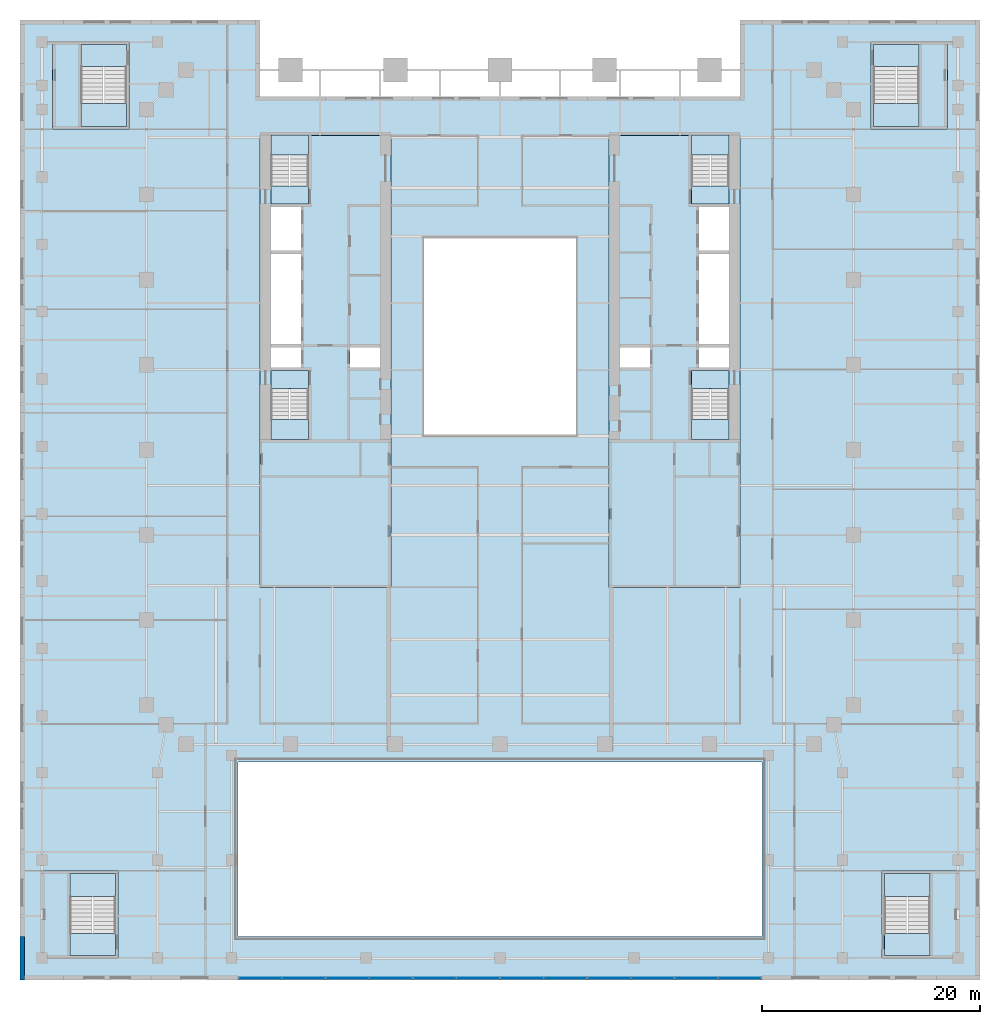
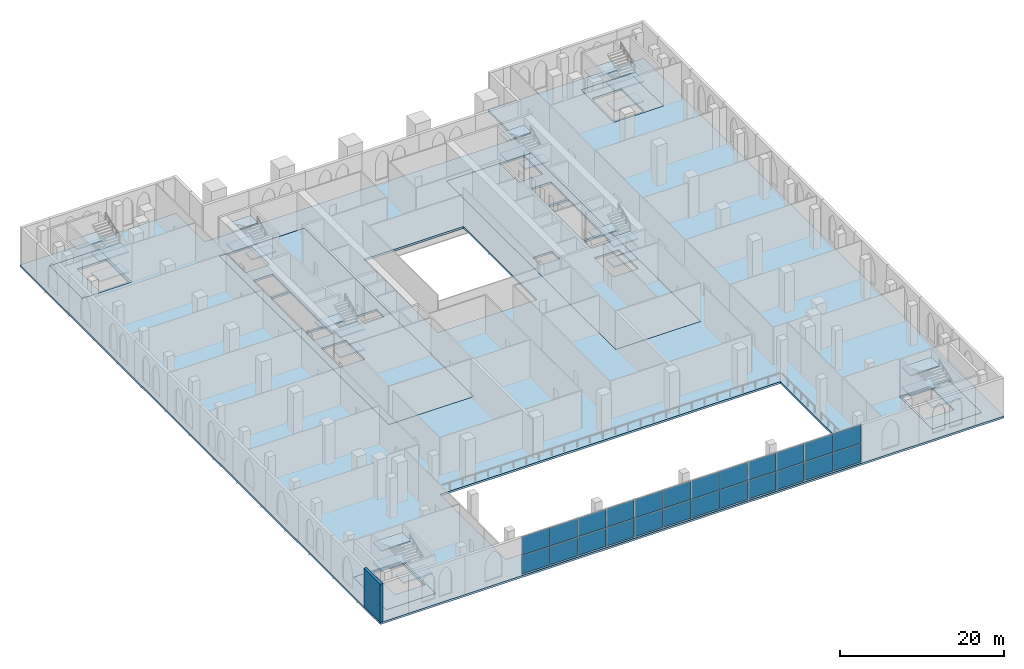
# One storey, part 7 of 21: 31 slabs, 24 plates, 1 wall, 14 elements without a shape of their own.
"""IFC4 building model written with IfcOpenShell, lengths in metres."""

from ifc_helpers import new_model, si_unit, direction, frame, frame_2d, origin, origin_2d, place, context, subcontext, project, spatial, polyline, rectangle, outline, extrude, material, layer, layer_set, type_object, element, aggregate, save


model = new_model("IFC4")

# Units and contexts
model_context = context("Model", 3, precision=1e-05, world=origin(), true_north=direction((0.0, 1.0)))
body_context = subcontext(model_context, "Body", "Model", "MODEL_VIEW")
ifc_project = project(units=[si_unit("LENGTHUNIT", "METRE"), si_unit("AREAUNIT", "SQUARE_METRE"), si_unit("VOLUMEUNIT", "CUBIC_METRE"), si_unit("PLANEANGLEUNIT", "RADIAN"), si_unit("MASSUNIT", "GRAM", prefix="KILO")], contexts=[model_context])

# Site, building, storey
site_placement = place(None, origin())
site = spatial("IfcSite", under=ifc_project, at=site_placement, CompositionType="ELEMENT")
building_placement = place(site_placement, origin())
building = spatial("IfcBuilding", under=site, at=building_placement, Name="Ogive Exchange Tower", CompositionType="ELEMENT")
storey_placement = place(building_placement, frame((0.0, 0.0, 8.0)))
storey = spatial("IfcBuildingStorey", under=building, at=storey_placement, Name="L01", CompositionType="ELEMENT", Elevation=8.0)

# Slabs
ifc_material_1 = material(Name="Concrete C50/60", Category="concrete")
ifc_layer_1 = layer(ifc_material_1, 0.300048828125)
ifc_layer_set_1 = layer_set([ifc_layer_1], Name="Composite floor slab 300")
slab_type_1 = type_object("IfcSlabType", Name="Composite floor slab 300", PredefinedType="FLOOR", material=ifc_layer_set_1)
slab_1_placement = place(storey_placement, frame((0.0, 0.0, -0.300048828125)))
element("IfcSlab", 1, at=slab_1_placement, inside=storey, type_object=slab_type_1, Name="Composite floor slab", PredefinedType="FLOOR", context=body_context, shape_type="SweptSolid", body=[
    extrude(outline(polyline([(44.0, -52.0), (-44.0, -52.0), (-44.0, 36.0), (-22.0, 36.0), (-22.0, 29.0), (22.0, 29.0), (22.0, 36.0), (44.0, 36.0), (44.0, -52.0)]), holes=[polyline([(-42.0, -42.0), (-42.0, -50.0), (-35.0, -50.0), (-35.0, -42.0), (-42.0, -42.0)]), polyline([(35.0, -42.0), (35.0, -50.0), (42.0, -50.0), (42.0, -42.0), (35.0, -42.0)]), polyline([(-24.0, -32.0), (-24.0, -48.0), (24.0, -48.0), (24.0, -32.0), (-24.0, -32.0)]), polyline([(-22.0, 25.39990234375), (-22.0, -16.0), (-10.0, -16.0), (-10.0, 25.39990234375), (-22.0, 25.39990234375)]), polyline([(10.0, 25.39990234375), (10.0, -16.0), (22.0, -16.0), (22.0, 25.39990234375), (10.0, 25.39990234375)]), polyline([(-7.0, 16.0), (-7.0, -2.0), (7.0, -2.0), (7.0, 16.0), (-7.0, 16.0)]), polyline([(-41.0, 34.0), (-41.0, 26.0), (-34.0, 26.0), (-34.0, 34.0), (-41.0, 34.0)]), polyline([(34.0, 34.0), (34.0, 26.0), (41.0, 26.0), (41.0, 34.0), (34.0, 34.0)])]), origin(), (0.0, 0.0, 1.0), 0.300048828125),
])
ifc_material_2 = material(Name="Concrete C70/85", Category="concrete")
ifc_layer_2 = layer(ifc_material_2, 0.300048828125)
ifc_layer_set_2 = layer_set([ifc_layer_2], Name="Core floor slab 300")
slab_type_2 = type_object("IfcSlabType", Name="Core floor slab 300", PredefinedType="FLOOR", material=ifc_layer_set_2)
slab_2_placement = place(storey_placement, frame((0.0, 0.0, -0.300048828125)))
element("IfcSlab", 2, at=slab_2_placement, inside=storey, type_object=slab_type_2, Name="Core floor slab", PredefinedType="FLOOR", context=body_context, shape_type="SweptSolid", body=[
    extrude(outline(polyline([(-10.0, 25.39990234375), (-10.0, -16.0), (-22.0, -16.0), (-22.0, 25.39990234375), (-21.0, 25.39990234375), (-21.0, 20.803955078125), (-17.550048828125, 20.803955078125), (-17.550048828125, 25.39990234375), (-10.0, 25.39990234375)]), holes=[polyline([(-17.550048828125, 2.196044921875), (-21.0, 2.196044921875), (-21.0, -2.449951171875), (-17.550048828125, -2.449951171875), (-17.550048828125, 2.196044921875)]), polyline([(-18.25, 5.992919921875), (-21.0, 5.992919921875), (-21.0, 4.14990234375), (-18.25, 4.14990234375), (-18.25, 5.992919921875)]), polyline([(-11.0, 5.992919921875), (-13.75, 5.992919921875), (-13.75, 4.14990234375), (-11.0, 4.14990234375), (-11.0, 5.992919921875)]), polyline([(-21.0, 14.564208984375), (-21.0, 6.29296875), (-18.25, 6.29296875), (-18.25, 14.564208984375), (-21.0, 14.564208984375)]), polyline([(-18.25, 18.85009765625), (-21.0, 18.85009765625), (-21.0, 14.8642578125), (-18.25, 14.8642578125), (-18.25, 18.85009765625)])]), origin(), (0.0, 0.0, 1.0), 0.300048828125),
])
slab_3_placement = place(storey_placement, frame((0.0, 0.0, -0.300048828125)))
element("IfcSlab", 3, at=slab_3_placement, inside=storey, type_object=slab_type_2, Name="Core floor slab", PredefinedType="FLOOR", context=body_context, shape_type="SweptSolid", body=[
    extrude(outline(polyline([(22.0, 25.39990234375), (22.0, -16.0), (10.0, -16.0), (10.0, 25.39990234375), (17.550048828125, 25.39990234375), (17.550048828125, 20.803955078125), (21.0, 20.803955078125), (21.0, 25.39990234375), (22.0, 25.39990234375)]), holes=[polyline([(21.0, 2.196044921875), (17.550048828125, 2.196044921875), (17.550048828125, -2.449951171875), (21.0, -2.449951171875), (21.0, 2.196044921875)]), polyline([(13.75, 5.992919921875), (11.0, 5.992919921875), (11.0, 4.14990234375), (13.75, 4.14990234375), (13.75, 5.992919921875)]), polyline([(21.0, 5.992919921875), (18.25, 5.992919921875), (18.25, 4.14990234375), (21.0, 4.14990234375), (21.0, 5.992919921875)]), polyline([(18.25, 14.564208984375), (18.25, 6.29296875), (21.0, 6.29296875), (21.0, 14.564208984375), (18.25, 14.564208984375)]), polyline([(21.0, 18.85009765625), (18.25, 18.85009765625), (18.25, 14.8642578125), (21.0, 14.8642578125), (21.0, 18.85009765625)])]), origin(), (0.0, 0.0, 1.0), 0.300048828125),
])
slab_4_placement = place(storey_placement, frame((0.0, 0.0, -0.300048828125)))
element("IfcSlab", 4, at=slab_4_placement, inside=storey, type_object=slab_type_2, Name="Core floor slab", PredefinedType="FLOOR", context=body_context, shape_type="SweptSolid", body=[
    extrude(outline(polyline([(-42.0, -50.0), (-42.0, -42.0), (-35.0, -42.0), (-35.0, -50.0), (-42.0, -50.0)]), holes=[polyline([(-35.25, -42.25), (-39.39990234375, -42.25), (-39.39990234375, -47.74609375), (-35.25, -47.74609375), (-35.25, -42.25)])]), origin(), (0.0, 0.0, 1.0), 0.300048828125),
])
slab_5_placement = place(storey_placement, frame((0.0, 0.0, -0.300048828125)))
element("IfcSlab", 5, at=slab_5_placement, inside=storey, type_object=slab_type_2, Name="Core floor slab", PredefinedType="FLOOR", context=body_context, shape_type="SweptSolid", body=[
    extrude(outline(polyline([(35.0, -50.0), (35.0, -42.0), (42.0, -42.0), (42.0, -50.0), (35.0, -50.0)]), holes=[polyline([(39.39990234375, -42.25), (35.25, -42.25), (35.25, -47.74609375), (39.39990234375, -47.74609375), (39.39990234375, -42.25)])]), origin(), (0.0, 0.0, 1.0), 0.300048828125),
])
slab_6_placement = place(storey_placement, frame((0.0, 0.0, -0.300048828125)))
element("IfcSlab", 6, at=slab_6_placement, inside=storey, type_object=slab_type_2, Name="Core floor slab", PredefinedType="FLOOR", context=body_context, shape_type="SweptSolid", body=[
    extrude(outline(polyline([(-41.0, 26.0), (-41.0, 34.0), (-34.0, 34.0), (-34.0, 26.0), (-41.0, 26.0)]), holes=[polyline([(-38.39990234375, 26.25), (-34.25, 26.25), (-34.25, 31.74609375), (-38.39990234375, 31.74609375), (-38.39990234375, 26.25)])]), origin(), (0.0, 0.0, 1.0), 0.300048828125),
])
slab_7_placement = place(storey_placement, frame((0.0, 0.0, -0.300048828125)))
element("IfcSlab", 7, at=slab_7_placement, inside=storey, type_object=slab_type_2, Name="Core floor slab", PredefinedType="FLOOR", context=body_context, shape_type="SweptSolid", body=[
    extrude(outline(polyline([(34.0, 26.0), (34.0, 34.0), (41.0, 34.0), (41.0, 26.0), (34.0, 26.0)]), holes=[polyline([(34.25, 26.25), (38.39990234375, 26.25), (38.39990234375, 31.74609375), (34.25, 31.74609375), (34.25, 26.25)])]), origin(), (0.0, 0.0, 1.0), 0.300048828125),
])

# Curtain wall, plates
ifc_material_3 = material(Name="Anodised aluminium and clear glass", Category="aluminium")
curtain_wall_type = type_object("IfcCurtainWallType", Name="Galleria end wall glazing", PredefinedType="NOTDEFINED", material=ifc_material_3)
curtain_wall_1_placement = place(storey_placement, origin())
curtain_wall_1 = element("IfcCurtainWall", 8, at=curtain_wall_1_placement, inside=storey, type_object=curtain_wall_type, Name="Galleria end wall glazing run GE4", PredefinedType="NOTDEFINED")
ifc_material_4 = material(Name="Clear glass", Category="glass")
ifc_layer_3 = layer(ifc_material_4, 0.0400390625)
ifc_layer_set_3 = layer_set([ifc_layer_3], Name="Laminated clear glass panel 40")
plate_type = type_object("IfcPlateType", Name="Laminated clear glass panel 40", PredefinedType="CURTAIN_PANEL", material=ifc_layer_set_3)
plate_1_placement = place(storey_placement, frame((-21.97998046875, -51.800048828125, 0.080078125), z_axis=(0.0, 0.0, 1.0), x_axis=(1.0, 0.0, 0.0)))
plate_1 = element("IfcPlate", 9, at=plate_1_placement, type_object=plate_type, Name="GE4 panel 1.1", PredefinedType="CURTAIN_PANEL", context=body_context, shape_type="SweptSolid", body=[
    extrude(rectangle(XDim=3.8798828125, YDim=0.0400390625, at=origin_2d()), origin(), (0.0, 0.0, 1.0), 2.72998046875),
])
plate_2_placement = place(storey_placement, frame((-21.97998046875, -51.800048828125, 2.889892578125), z_axis=(0.0, 0.0, 1.0), x_axis=(1.0, 0.0, 0.0)))
plate_2 = element("IfcPlate", 10, at=plate_2_placement, type_object=plate_type, Name="GE4 panel 1.2", PredefinedType="CURTAIN_PANEL", context=body_context, shape_type="SweptSolid", body=[
    extrude(rectangle(XDim=3.8798828125, YDim=0.0400390625, at=origin_2d()), origin(), (0.0, 0.0, 1.0), 2.72998046875),
])
plate_3_placement = place(storey_placement, frame((-18.02001953125, -51.800048828125, 0.080078125), z_axis=(0.0, 0.0, 1.0), x_axis=(1.0, 0.0, 0.0)))
plate_3 = element("IfcPlate", 11, at=plate_3_placement, type_object=plate_type, Name="GE4 panel 2.1", PredefinedType="CURTAIN_PANEL", context=body_context, shape_type="SweptSolid", body=[
    extrude(rectangle(XDim=3.8798828125, YDim=0.0400390625, at=origin_2d()), origin(), (0.0, 0.0, 1.0), 2.72998046875),
])
plate_4_placement = place(storey_placement, frame((-18.02001953125, -51.800048828125, 2.889892578125), z_axis=(0.0, 0.0, 1.0), x_axis=(1.0, 0.0, 0.0)))
plate_4 = element("IfcPlate", 12, at=plate_4_placement, type_object=plate_type, Name="GE4 panel 2.2", PredefinedType="CURTAIN_PANEL", context=body_context, shape_type="SweptSolid", body=[
    extrude(rectangle(XDim=3.8798828125, YDim=0.0400390625, at=origin_2d()), origin(), (0.0, 0.0, 1.0), 2.72998046875),
])
aggregate(curtain_wall_1, [plate_1, plate_2, plate_3, plate_4])

curtain_wall_2_placement = place(storey_placement, origin())
curtain_wall_2 = element("IfcCurtainWall", 13, at=curtain_wall_2_placement, inside=storey, type_object=curtain_wall_type, Name="Galleria end wall glazing run GE5", PredefinedType="NOTDEFINED")
plate_5_placement = place(storey_placement, frame((-13.97998046875, -51.800048828125, 0.080078125), z_axis=(0.0, 0.0, 1.0), x_axis=(1.0, 0.0, 0.0)))
plate_5 = element("IfcPlate", 14, at=plate_5_placement, type_object=plate_type, Name="GE5 panel 1.1", PredefinedType="CURTAIN_PANEL", context=body_context, shape_type="SweptSolid", body=[
    extrude(rectangle(XDim=3.8798828125, YDim=0.0400390625, at=origin_2d()), origin(), (0.0, 0.0, 1.0), 2.72998046875),
])
plate_6_placement = place(storey_placement, frame((-13.97998046875, -51.800048828125, 2.889892578125), z_axis=(0.0, 0.0, 1.0), x_axis=(1.0, 0.0, 0.0)))
plate_6 = element("IfcPlate", 15, at=plate_6_placement, type_object=plate_type, Name="GE5 panel 1.2", PredefinedType="CURTAIN_PANEL", context=body_context, shape_type="SweptSolid", body=[
    extrude(rectangle(XDim=3.8798828125, YDim=0.0400390625, at=origin_2d()), origin(), (0.0, 0.0, 1.0), 2.72998046875),
])
plate_7_placement = place(storey_placement, frame((-10.02001953125, -51.800048828125, 0.080078125), z_axis=(0.0, 0.0, 1.0), x_axis=(1.0, 0.0, 0.0)))
plate_7 = element("IfcPlate", 16, at=plate_7_placement, type_object=plate_type, Name="GE5 panel 2.1", PredefinedType="CURTAIN_PANEL", context=body_context, shape_type="SweptSolid", body=[
    extrude(rectangle(XDim=3.8798828125, YDim=0.0400390625, at=origin_2d()), origin(), (0.0, 0.0, 1.0), 2.72998046875),
])
plate_8_placement = place(storey_placement, frame((-10.02001953125, -51.800048828125, 2.889892578125), z_axis=(0.0, 0.0, 1.0), x_axis=(1.0, 0.0, 0.0)))
plate_8 = element("IfcPlate", 17, at=plate_8_placement, type_object=plate_type, Name="GE5 panel 2.2", PredefinedType="CURTAIN_PANEL", context=body_context, shape_type="SweptSolid", body=[
    extrude(rectangle(XDim=3.8798828125, YDim=0.0400390625, at=origin_2d()), origin(), (0.0, 0.0, 1.0), 2.72998046875),
])
aggregate(curtain_wall_2, [plate_5, plate_6, plate_7, plate_8])

curtain_wall_3_placement = place(storey_placement, origin())
curtain_wall_3 = element("IfcCurtainWall", 18, at=curtain_wall_3_placement, inside=storey, type_object=curtain_wall_type, Name="Galleria end wall glazing run GE6", PredefinedType="NOTDEFINED")
plate_9_placement = place(storey_placement, frame((-5.97998046875, -51.800048828125, 0.080078125), z_axis=(0.0, 0.0, 1.0), x_axis=(1.0, 0.0, 0.0)))
plate_9 = element("IfcPlate", 19, at=plate_9_placement, type_object=plate_type, Name="GE6 panel 1.1", PredefinedType="CURTAIN_PANEL", context=body_context, shape_type="SweptSolid", body=[
    extrude(rectangle(XDim=3.8798828125, YDim=0.0400390625, at=origin_2d()), origin(), (0.0, 0.0, 1.0), 2.72998046875),
])
plate_10_placement = place(storey_placement, frame((-5.97998046875, -51.800048828125, 2.889892578125), z_axis=(0.0, 0.0, 1.0), x_axis=(1.0, 0.0, 0.0)))
plate_10 = element("IfcPlate", 20, at=plate_10_placement, type_object=plate_type, Name="GE6 panel 1.2", PredefinedType="CURTAIN_PANEL", context=body_context, shape_type="SweptSolid", body=[
    extrude(rectangle(XDim=3.8798828125, YDim=0.0400390625, at=origin_2d()), origin(), (0.0, 0.0, 1.0), 2.72998046875),
])
plate_11_placement = place(storey_placement, frame((-2.02001953125, -51.800048828125, 0.080078125), z_axis=(0.0, 0.0, 1.0), x_axis=(1.0, 0.0, 0.0)))
plate_11 = element("IfcPlate", 21, at=plate_11_placement, type_object=plate_type, Name="GE6 panel 2.1", PredefinedType="CURTAIN_PANEL", context=body_context, shape_type="SweptSolid", body=[
    extrude(rectangle(XDim=3.8798828125, YDim=0.0400390625, at=origin_2d()), origin(), (0.0, 0.0, 1.0), 2.72998046875),
])
plate_12_placement = place(storey_placement, frame((-2.02001953125, -51.800048828125, 2.889892578125), z_axis=(0.0, 0.0, 1.0), x_axis=(1.0, 0.0, 0.0)))
plate_12 = element("IfcPlate", 22, at=plate_12_placement, type_object=plate_type, Name="GE6 panel 2.2", PredefinedType="CURTAIN_PANEL", context=body_context, shape_type="SweptSolid", body=[
    extrude(rectangle(XDim=3.8798828125, YDim=0.0400390625, at=origin_2d()), origin(), (0.0, 0.0, 1.0), 2.72998046875),
])
aggregate(curtain_wall_3, [plate_9, plate_10, plate_11, plate_12])

curtain_wall_4_placement = place(storey_placement, origin())
curtain_wall_4 = element("IfcCurtainWall", 23, at=curtain_wall_4_placement, inside=storey, type_object=curtain_wall_type, Name="Galleria end wall glazing run GE7", PredefinedType="NOTDEFINED")
plate_13_placement = place(storey_placement, frame((2.02001953125, -51.800048828125, 0.080078125), z_axis=(0.0, 0.0, 1.0), x_axis=(1.0, 0.0, 0.0)))
plate_13 = element("IfcPlate", 24, at=plate_13_placement, type_object=plate_type, Name="GE7 panel 1.1", PredefinedType="CURTAIN_PANEL", context=body_context, shape_type="SweptSolid", body=[
    extrude(rectangle(XDim=3.8798828125, YDim=0.0400390625, at=origin_2d()), origin(), (0.0, 0.0, 1.0), 2.72998046875),
])
plate_14_placement = place(storey_placement, frame((2.02001953125, -51.800048828125, 2.889892578125), z_axis=(0.0, 0.0, 1.0), x_axis=(1.0, 0.0, 0.0)))
plate_14 = element("IfcPlate", 25, at=plate_14_placement, type_object=plate_type, Name="GE7 panel 1.2", PredefinedType="CURTAIN_PANEL", context=body_context, shape_type="SweptSolid", body=[
    extrude(rectangle(XDim=3.8798828125, YDim=0.0400390625, at=origin_2d()), origin(), (0.0, 0.0, 1.0), 2.72998046875),
])
plate_15_placement = place(storey_placement, frame((5.97998046875, -51.800048828125, 0.080078125), z_axis=(0.0, 0.0, 1.0), x_axis=(1.0, 0.0, 0.0)))
plate_15 = element("IfcPlate", 26, at=plate_15_placement, type_object=plate_type, Name="GE7 panel 2.1", PredefinedType="CURTAIN_PANEL", context=body_context, shape_type="SweptSolid", body=[
    extrude(rectangle(XDim=3.8798828125, YDim=0.0400390625, at=origin_2d()), origin(), (0.0, 0.0, 1.0), 2.72998046875),
])
plate_16_placement = place(storey_placement, frame((5.97998046875, -51.800048828125, 2.889892578125), z_axis=(0.0, 0.0, 1.0), x_axis=(1.0, 0.0, 0.0)))
plate_16 = element("IfcPlate", 27, at=plate_16_placement, type_object=plate_type, Name="GE7 panel 2.2", PredefinedType="CURTAIN_PANEL", context=body_context, shape_type="SweptSolid", body=[
    extrude(rectangle(XDim=3.8798828125, YDim=0.0400390625, at=origin_2d()), origin(), (0.0, 0.0, 1.0), 2.72998046875),
])
aggregate(curtain_wall_4, [plate_13, plate_14, plate_15, plate_16])

curtain_wall_5_placement = place(storey_placement, origin())
curtain_wall_5 = element("IfcCurtainWall", 28, at=curtain_wall_5_placement, inside=storey, type_object=curtain_wall_type, Name="Galleria end wall glazing run GE8", PredefinedType="NOTDEFINED")
plate_17_placement = place(storey_placement, frame((10.02001953125, -51.800048828125, 0.080078125), z_axis=(0.0, 0.0, 1.0), x_axis=(1.0, 0.0, 0.0)))
plate_17 = element("IfcPlate", 29, at=plate_17_placement, type_object=plate_type, Name="GE8 panel 1.1", PredefinedType="CURTAIN_PANEL", context=body_context, shape_type="SweptSolid", body=[
    extrude(rectangle(XDim=3.8798828125, YDim=0.0400390625, at=origin_2d()), origin(), (0.0, 0.0, 1.0), 2.72998046875),
])
plate_18_placement = place(storey_placement, frame((10.02001953125, -51.800048828125, 2.889892578125), z_axis=(0.0, 0.0, 1.0), x_axis=(1.0, 0.0, 0.0)))
plate_18 = element("IfcPlate", 30, at=plate_18_placement, type_object=plate_type, Name="GE8 panel 1.2", PredefinedType="CURTAIN_PANEL", context=body_context, shape_type="SweptSolid", body=[
    extrude(rectangle(XDim=3.8798828125, YDim=0.0400390625, at=origin_2d()), origin(), (0.0, 0.0, 1.0), 2.72998046875),
])
plate_19_placement = place(storey_placement, frame((13.97998046875, -51.800048828125, 0.080078125), z_axis=(0.0, 0.0, 1.0), x_axis=(1.0, 0.0, 0.0)))
plate_19 = element("IfcPlate", 31, at=plate_19_placement, type_object=plate_type, Name="GE8 panel 2.1", PredefinedType="CURTAIN_PANEL", context=body_context, shape_type="SweptSolid", body=[
    extrude(rectangle(XDim=3.8798828125, YDim=0.0400390625, at=origin_2d()), origin(), (0.0, 0.0, 1.0), 2.72998046875),
])
plate_20_placement = place(storey_placement, frame((13.97998046875, -51.800048828125, 2.889892578125), z_axis=(0.0, 0.0, 1.0), x_axis=(1.0, 0.0, 0.0)))
plate_20 = element("IfcPlate", 32, at=plate_20_placement, type_object=plate_type, Name="GE8 panel 2.2", PredefinedType="CURTAIN_PANEL", context=body_context, shape_type="SweptSolid", body=[
    extrude(rectangle(XDim=3.8798828125, YDim=0.0400390625, at=origin_2d()), origin(), (0.0, 0.0, 1.0), 2.72998046875),
])
aggregate(curtain_wall_5, [plate_17, plate_18, plate_19, plate_20])

curtain_wall_6_placement = place(storey_placement, origin())
curtain_wall_6 = element("IfcCurtainWall", 33, at=curtain_wall_6_placement, inside=storey, type_object=curtain_wall_type, Name="Galleria end wall glazing run GE9", PredefinedType="NOTDEFINED")
plate_21_placement = place(storey_placement, frame((18.02001953125, -51.800048828125, 0.080078125), z_axis=(0.0, 0.0, 1.0), x_axis=(1.0, 0.0, 0.0)))
plate_21 = element("IfcPlate", 34, at=plate_21_placement, type_object=plate_type, Name="GE9 panel 1.1", PredefinedType="CURTAIN_PANEL", context=body_context, shape_type="SweptSolid", body=[
    extrude(rectangle(XDim=3.8798828125, YDim=0.0400390625, at=origin_2d()), origin(), (0.0, 0.0, 1.0), 2.72998046875),
])
plate_22_placement = place(storey_placement, frame((18.02001953125, -51.800048828125, 2.889892578125), z_axis=(0.0, 0.0, 1.0), x_axis=(1.0, 0.0, 0.0)))
plate_22 = element("IfcPlate", 35, at=plate_22_placement, type_object=plate_type, Name="GE9 panel 1.2", PredefinedType="CURTAIN_PANEL", context=body_context, shape_type="SweptSolid", body=[
    extrude(rectangle(XDim=3.8798828125, YDim=0.0400390625, at=origin_2d()), origin(), (0.0, 0.0, 1.0), 2.72998046875),
])
plate_23_placement = place(storey_placement, frame((21.97998046875, -51.800048828125, 0.080078125), z_axis=(0.0, 0.0, 1.0), x_axis=(1.0, 0.0, 0.0)))
plate_23 = element("IfcPlate", 36, at=plate_23_placement, type_object=plate_type, Name="GE9 panel 2.1", PredefinedType="CURTAIN_PANEL", context=body_context, shape_type="SweptSolid", body=[
    extrude(rectangle(XDim=3.8798828125, YDim=0.0400390625, at=origin_2d()), origin(), (0.0, 0.0, 1.0), 2.72998046875),
])
plate_24_placement = place(storey_placement, frame((21.97998046875, -51.800048828125, 2.889892578125), z_axis=(0.0, 0.0, 1.0), x_axis=(1.0, 0.0, 0.0)))
plate_24 = element("IfcPlate", 37, at=plate_24_placement, type_object=plate_type, Name="GE9 panel 2.2", PredefinedType="CURTAIN_PANEL", context=body_context, shape_type="SweptSolid", body=[
    extrude(rectangle(XDim=3.8798828125, YDim=0.0400390625, at=origin_2d()), origin(), (0.0, 0.0, 1.0), 2.72998046875),
])
aggregate(curtain_wall_6, [plate_21, plate_22, plate_23, plate_24])

# Stair, slabs
ifc_material_5 = material(Name="Concrete C40/50", Category="concrete")
stair_type_1 = type_object("IfcStairType", Name="Exit stair 1650 wide", PredefinedType="HALF_TURN_STAIR", material=ifc_material_5)
stair_1_placement = place(storey_placement, origin())
stair_1 = element("IfcStair", 38, at=stair_1_placement, inside=storey, type_object=stair_type_1, Name="L01 exit stair ST1", PredefinedType="HALF_TURN_STAIR")
ifc_layer_4 = layer(ifc_material_5, 0.199951171875)
ifc_layer_set_4 = layer_set([ifc_layer_4], Name="Stair landing 200 slab")
slab_type_3 = type_object("IfcSlabType", Name="Stair landing 200 slab", PredefinedType="LANDING", material=ifc_layer_set_4)
slab_8_placement = place(storey_placement, frame((0.0, 0.0, 1.300048828125)))
slab_8 = element("IfcSlab", 39, at=slab_8_placement, type_object=slab_type_3, Name="ST1 landing 1", PredefinedType="LANDING", context=body_context, shape_type="SweptSolid", body=[
    extrude(outline(polyline([(-21.0, -0.60791015625), (-21.0, -2.449951171875), (-17.550048828125, -2.449951171875), (-17.550048828125, -0.60791015625), (-21.0, -0.60791015625)])), origin(), (0.0, 0.0, 1.0), 0.199951171875),
])
slab_9_placement = place(storey_placement, frame((0.0, 0.0, 2.800048828125)))
slab_9 = element("IfcSlab", 40, at=slab_9_placement, type_object=slab_type_3, Name="ST1 landing 2", PredefinedType="LANDING", context=body_context, shape_type="SweptSolid", body=[
    extrude(outline(polyline([(-21.0, 3.85009765625), (-21.0, 2.199951171875), (-17.550048828125, 2.199951171875), (-17.550048828125, 3.85009765625), (-21.0, 3.85009765625)])), origin(), (0.0, 0.0, 1.0), 0.199951171875),
])
slab_10_placement = place(storey_placement, frame((0.0, 0.0, 4.300048828125)))
slab_10 = element("IfcSlab", 41, at=slab_10_placement, type_object=slab_type_3, Name="ST1 landing 3", PredefinedType="LANDING", context=body_context, shape_type="SweptSolid", body=[
    extrude(outline(polyline([(-21.0, -0.60791015625), (-21.0, -2.449951171875), (-17.550048828125, -2.449951171875), (-17.550048828125, -0.60791015625), (-21.0, -0.60791015625)])), origin(), (0.0, 0.0, 1.0), 0.199951171875),
])
aggregate(stair_1, [slab_8, slab_9, slab_10])

stair_2_placement = place(storey_placement, origin())
stair_2 = element("IfcStair", 42, at=stair_2_placement, inside=storey, type_object=stair_type_1, Name="L01 exit stair ST2", PredefinedType="HALF_TURN_STAIR")
slab_11_placement = place(storey_placement, frame((0.0, 0.0, 1.300048828125)))
slab_11 = element("IfcSlab", 43, at=slab_11_placement, type_object=slab_type_3, Name="ST2 landing 1", PredefinedType="LANDING", context=body_context, shape_type="SweptSolid", body=[
    extrude(outline(polyline([(-17.550048828125, 23.60791015625), (-17.550048828125, 25.449951171875), (-21.0, 25.449951171875), (-21.0, 23.60791015625), (-17.550048828125, 23.60791015625)])), origin(), (0.0, 0.0, 1.0), 0.199951171875),
])
slab_12_placement = place(storey_placement, frame((0.0, 0.0, 2.800048828125)))
slab_12 = element("IfcSlab", 44, at=slab_12_placement, type_object=slab_type_3, Name="ST2 landing 2", PredefinedType="LANDING", context=body_context, shape_type="SweptSolid", body=[
    extrude(outline(polyline([(-17.550048828125, 19.14990234375), (-17.550048828125, 20.800048828125), (-21.0, 20.800048828125), (-21.0, 19.14990234375), (-17.550048828125, 19.14990234375)])), origin(), (0.0, 0.0, 1.0), 0.199951171875),
])
slab_13_placement = place(storey_placement, frame((0.0, 0.0, 4.300048828125)))
slab_13 = element("IfcSlab", 45, at=slab_13_placement, type_object=slab_type_3, Name="ST2 landing 3", PredefinedType="LANDING", context=body_context, shape_type="SweptSolid", body=[
    extrude(outline(polyline([(-17.550048828125, 23.60791015625), (-17.550048828125, 25.449951171875), (-21.0, 25.449951171875), (-21.0, 23.60791015625), (-17.550048828125, 23.60791015625)])), origin(), (0.0, 0.0, 1.0), 0.199951171875),
])
aggregate(stair_2, [slab_11, slab_12, slab_13])

stair_3_placement = place(storey_placement, origin())
stair_3 = element("IfcStair", 46, at=stair_3_placement, inside=storey, type_object=stair_type_1, Name="L01 exit stair ST3", PredefinedType="HALF_TURN_STAIR")
slab_14_placement = place(storey_placement, frame((0.0, 0.0, 1.300048828125)))
slab_14 = element("IfcSlab", 47, at=slab_14_placement, type_object=slab_type_3, Name="ST3 landing 1", PredefinedType="LANDING", context=body_context, shape_type="SweptSolid", body=[
    extrude(outline(polyline([(17.550048828125, -0.60791015625), (17.550048828125, -2.449951171875), (21.0, -2.449951171875), (21.0, -0.60791015625), (17.550048828125, -0.60791015625)])), origin(), (0.0, 0.0, 1.0), 0.199951171875),
])
slab_15_placement = place(storey_placement, frame((0.0, 0.0, 2.800048828125)))
slab_15 = element("IfcSlab", 48, at=slab_15_placement, type_object=slab_type_3, Name="ST3 landing 2", PredefinedType="LANDING", context=body_context, shape_type="SweptSolid", body=[
    extrude(outline(polyline([(17.550048828125, 3.85009765625), (17.550048828125, 2.199951171875), (21.0, 2.199951171875), (21.0, 3.85009765625), (17.550048828125, 3.85009765625)])), origin(), (0.0, 0.0, 1.0), 0.199951171875),
])
slab_16_placement = place(storey_placement, frame((0.0, 0.0, 4.300048828125)))
slab_16 = element("IfcSlab", 49, at=slab_16_placement, type_object=slab_type_3, Name="ST3 landing 3", PredefinedType="LANDING", context=body_context, shape_type="SweptSolid", body=[
    extrude(outline(polyline([(17.550048828125, -0.60791015625), (17.550048828125, -2.449951171875), (21.0, -2.449951171875), (21.0, -0.60791015625), (17.550048828125, -0.60791015625)])), origin(), (0.0, 0.0, 1.0), 0.199951171875),
])
aggregate(stair_3, [slab_14, slab_15, slab_16])

stair_4_placement = place(storey_placement, origin())
stair_4 = element("IfcStair", 50, at=stair_4_placement, inside=storey, type_object=stair_type_1, Name="L01 exit stair ST4", PredefinedType="HALF_TURN_STAIR")
slab_17_placement = place(storey_placement, frame((0.0, 0.0, 1.300048828125)))
slab_17 = element("IfcSlab", 51, at=slab_17_placement, type_object=slab_type_3, Name="ST4 landing 1", PredefinedType="LANDING", context=body_context, shape_type="SweptSolid", body=[
    extrude(outline(polyline([(21.0, 23.60791015625), (21.0, 25.449951171875), (17.550048828125, 25.449951171875), (17.550048828125, 23.60791015625), (21.0, 23.60791015625)])), origin(), (0.0, 0.0, 1.0), 0.199951171875),
])
slab_18_placement = place(storey_placement, frame((0.0, 0.0, 2.800048828125)))
slab_18 = element("IfcSlab", 52, at=slab_18_placement, type_object=slab_type_3, Name="ST4 landing 2", PredefinedType="LANDING", context=body_context, shape_type="SweptSolid", body=[
    extrude(outline(polyline([(21.0, 19.14990234375), (21.0, 20.800048828125), (17.550048828125, 20.800048828125), (17.550048828125, 19.14990234375), (21.0, 19.14990234375)])), origin(), (0.0, 0.0, 1.0), 0.199951171875),
])
slab_19_placement = place(storey_placement, frame((0.0, 0.0, 4.300048828125)))
slab_19 = element("IfcSlab", 53, at=slab_19_placement, type_object=slab_type_3, Name="ST4 landing 3", PredefinedType="LANDING", context=body_context, shape_type="SweptSolid", body=[
    extrude(outline(polyline([(21.0, 23.60791015625), (21.0, 25.449951171875), (17.550048828125, 25.449951171875), (17.550048828125, 23.60791015625), (21.0, 23.60791015625)])), origin(), (0.0, 0.0, 1.0), 0.199951171875),
])
aggregate(stair_4, [slab_17, slab_18, slab_19])

stair_type_2 = type_object("IfcStairType", Name="Exit stair 2000 wide", PredefinedType="HALF_TURN_STAIR", material=ifc_material_5)
stair_5_placement = place(storey_placement, origin())
stair_5 = element("IfcStair", 54, at=stair_5_placement, inside=storey, type_object=stair_type_2, Name="L01 exit stair PS1", PredefinedType="HALF_TURN_STAIR")
slab_20_placement = place(storey_placement, frame((0.0, 0.0, 1.300048828125)))
slab_20 = element("IfcSlab", 55, at=slab_20_placement, type_object=slab_type_3, Name="PS1 landing 1", PredefinedType="LANDING", context=body_context, shape_type="SweptSolid", body=[
    extrude(outline(polyline([(-35.25, -44.347900390625), (-35.25, -42.25), (-39.39990234375, -42.25), (-39.39990234375, -44.347900390625), (-35.25, -44.347900390625)])), origin(), (0.0, 0.0, 1.0), 0.199951171875),
])
slab_21_placement = place(storey_placement, frame((0.0, 0.0, 2.800048828125)))
slab_21 = element("IfcSlab", 56, at=slab_21_placement, type_object=slab_type_3, Name="PS1 landing 2", PredefinedType="LANDING", context=body_context, shape_type="SweptSolid", body=[
    extrude(outline(polyline([(-35.25, -49.75), (-35.25, -47.75), (-39.39990234375, -47.75), (-39.39990234375, -49.75), (-35.25, -49.75)])), origin(), (0.0, 0.0, 1.0), 0.199951171875),
])
slab_22_placement = place(storey_placement, frame((0.0, 0.0, 4.300048828125)))
slab_22 = element("IfcSlab", 57, at=slab_22_placement, type_object=slab_type_3, Name="PS1 landing 3", PredefinedType="LANDING", context=body_context, shape_type="SweptSolid", body=[
    extrude(outline(polyline([(-35.25, -44.347900390625), (-35.25, -42.25), (-39.39990234375, -42.25), (-39.39990234375, -44.347900390625), (-35.25, -44.347900390625)])), origin(), (0.0, 0.0, 1.0), 0.199951171875),
])
aggregate(stair_5, [slab_20, slab_21, slab_22])

stair_6_placement = place(storey_placement, origin())
stair_6 = element("IfcStair", 58, at=stair_6_placement, inside=storey, type_object=stair_type_2, Name="L01 exit stair PS2", PredefinedType="HALF_TURN_STAIR")
slab_23_placement = place(storey_placement, frame((0.0, 0.0, 1.300048828125)))
slab_23 = element("IfcSlab", 59, at=slab_23_placement, type_object=slab_type_3, Name="PS2 landing 1", PredefinedType="LANDING", context=body_context, shape_type="SweptSolid", body=[
    extrude(outline(polyline([(39.39990234375, -44.347900390625), (39.39990234375, -42.25), (35.25, -42.25), (35.25, -44.347900390625), (39.39990234375, -44.347900390625)])), origin(), (0.0, 0.0, 1.0), 0.199951171875),
])
slab_24_placement = place(storey_placement, frame((0.0, 0.0, 2.800048828125)))
slab_24 = element("IfcSlab", 60, at=slab_24_placement, type_object=slab_type_3, Name="PS2 landing 2", PredefinedType="LANDING", context=body_context, shape_type="SweptSolid", body=[
    extrude(outline(polyline([(39.39990234375, -49.75), (39.39990234375, -47.75), (35.25, -47.75), (35.25, -49.75), (39.39990234375, -49.75)])), origin(), (0.0, 0.0, 1.0), 0.199951171875),
])
slab_25_placement = place(storey_placement, frame((0.0, 0.0, 4.300048828125)))
slab_25 = element("IfcSlab", 61, at=slab_25_placement, type_object=slab_type_3, Name="PS2 landing 3", PredefinedType="LANDING", context=body_context, shape_type="SweptSolid", body=[
    extrude(outline(polyline([(39.39990234375, -44.347900390625), (39.39990234375, -42.25), (35.25, -42.25), (35.25, -44.347900390625), (39.39990234375, -44.347900390625)])), origin(), (0.0, 0.0, 1.0), 0.199951171875),
])
aggregate(stair_6, [slab_23, slab_24, slab_25])

stair_7_placement = place(storey_placement, origin())
stair_7 = element("IfcStair", 62, at=stair_7_placement, inside=storey, type_object=stair_type_2, Name="L01 exit stair PS3", PredefinedType="HALF_TURN_STAIR")
slab_26_placement = place(storey_placement, frame((0.0, 0.0, 1.300048828125)))
slab_26 = element("IfcSlab", 63, at=slab_26_placement, type_object=slab_type_3, Name="PS3 landing 1", PredefinedType="LANDING", context=body_context, shape_type="SweptSolid", body=[
    extrude(outline(polyline([(-38.39990234375, 28.347900390625), (-38.39990234375, 26.25), (-34.25, 26.25), (-34.25, 28.347900390625), (-38.39990234375, 28.347900390625)])), origin(), (0.0, 0.0, 1.0), 0.199951171875),
])
slab_27_placement = place(storey_placement, frame((0.0, 0.0, 2.800048828125)))
slab_27 = element("IfcSlab", 64, at=slab_27_placement, type_object=slab_type_3, Name="PS3 landing 2", PredefinedType="LANDING", context=body_context, shape_type="SweptSolid", body=[
    extrude(outline(polyline([(-38.39990234375, 33.75), (-38.39990234375, 31.75), (-34.25, 31.75), (-34.25, 33.75), (-38.39990234375, 33.75)])), origin(), (0.0, 0.0, 1.0), 0.199951171875),
])
slab_28_placement = place(storey_placement, frame((0.0, 0.0, 4.300048828125)))
slab_28 = element("IfcSlab", 65, at=slab_28_placement, type_object=slab_type_3, Name="PS3 landing 3", PredefinedType="LANDING", context=body_context, shape_type="SweptSolid", body=[
    extrude(outline(polyline([(-38.39990234375, 28.347900390625), (-38.39990234375, 26.25), (-34.25, 26.25), (-34.25, 28.347900390625), (-38.39990234375, 28.347900390625)])), origin(), (0.0, 0.0, 1.0), 0.199951171875),
])
aggregate(stair_7, [slab_26, slab_27, slab_28])

stair_8_placement = place(storey_placement, origin())
stair_8 = element("IfcStair", 66, at=stair_8_placement, inside=storey, type_object=stair_type_2, Name="L01 exit stair PS4", PredefinedType="HALF_TURN_STAIR")
slab_29_placement = place(storey_placement, frame((0.0, 0.0, 1.300048828125)))
slab_29 = element("IfcSlab", 67, at=slab_29_placement, type_object=slab_type_3, Name="PS4 landing 1", PredefinedType="LANDING", context=body_context, shape_type="SweptSolid", body=[
    extrude(outline(polyline([(34.25, 28.347900390625), (34.25, 26.25), (38.39990234375, 26.25), (38.39990234375, 28.347900390625), (34.25, 28.347900390625)])), origin(), (0.0, 0.0, 1.0), 0.199951171875),
])
slab_30_placement = place(storey_placement, frame((0.0, 0.0, 2.800048828125)))
slab_30 = element("IfcSlab", 68, at=slab_30_placement, type_object=slab_type_3, Name="PS4 landing 2", PredefinedType="LANDING", context=body_context, shape_type="SweptSolid", body=[
    extrude(outline(polyline([(34.25, 33.75), (34.25, 31.75), (38.39990234375, 31.75), (38.39990234375, 33.75), (34.25, 33.75)])), origin(), (0.0, 0.0, 1.0), 0.199951171875),
])
slab_31_placement = place(storey_placement, frame((0.0, 0.0, 4.300048828125)))
slab_31 = element("IfcSlab", 69, at=slab_31_placement, type_object=slab_type_3, Name="PS4 landing 3", PredefinedType="LANDING", context=body_context, shape_type="SweptSolid", body=[
    extrude(outline(polyline([(34.25, 28.347900390625), (34.25, 26.25), (38.39990234375, 26.25), (38.39990234375, 28.347900390625), (34.25, 28.347900390625)])), origin(), (0.0, 0.0, 1.0), 0.199951171875),
])
aggregate(stair_8, [slab_29, slab_30, slab_31])

# Wall
ifc_material_6 = material(Name="Precast concrete C40/50", Category="concrete")
ifc_layer_5 = layer(ifc_material_6, 0.39990234375)
ifc_layer_set_5 = layer_set([ifc_layer_5], Name="Limestone-faced wall 400")
wall_type = type_object("IfcWallType", Name="Limestone-faced wall 400", PredefinedType="STANDARD", material=ifc_layer_set_5)
wall_placement = place(storey_placement, frame((-43.800048828125, -48.0, 0.0), z_axis=(0.0, 0.0, 1.0), x_axis=(0.0, -1.0, 0.0)))
element("IfcWall", 70, at=wall_placement, inside=storey, type_object=wall_type, Name="Podium wall W12", PredefinedType="STANDARD", context=body_context, shape_type="SweptSolid", body=[
    extrude(rectangle(XDim=4.0, YDim=0.39990234375, at=frame_2d((2.0, 0.0))), origin(), (0.0, 0.0, 1.0), 5.699951171875),
])

save(model, "model.ifc")
